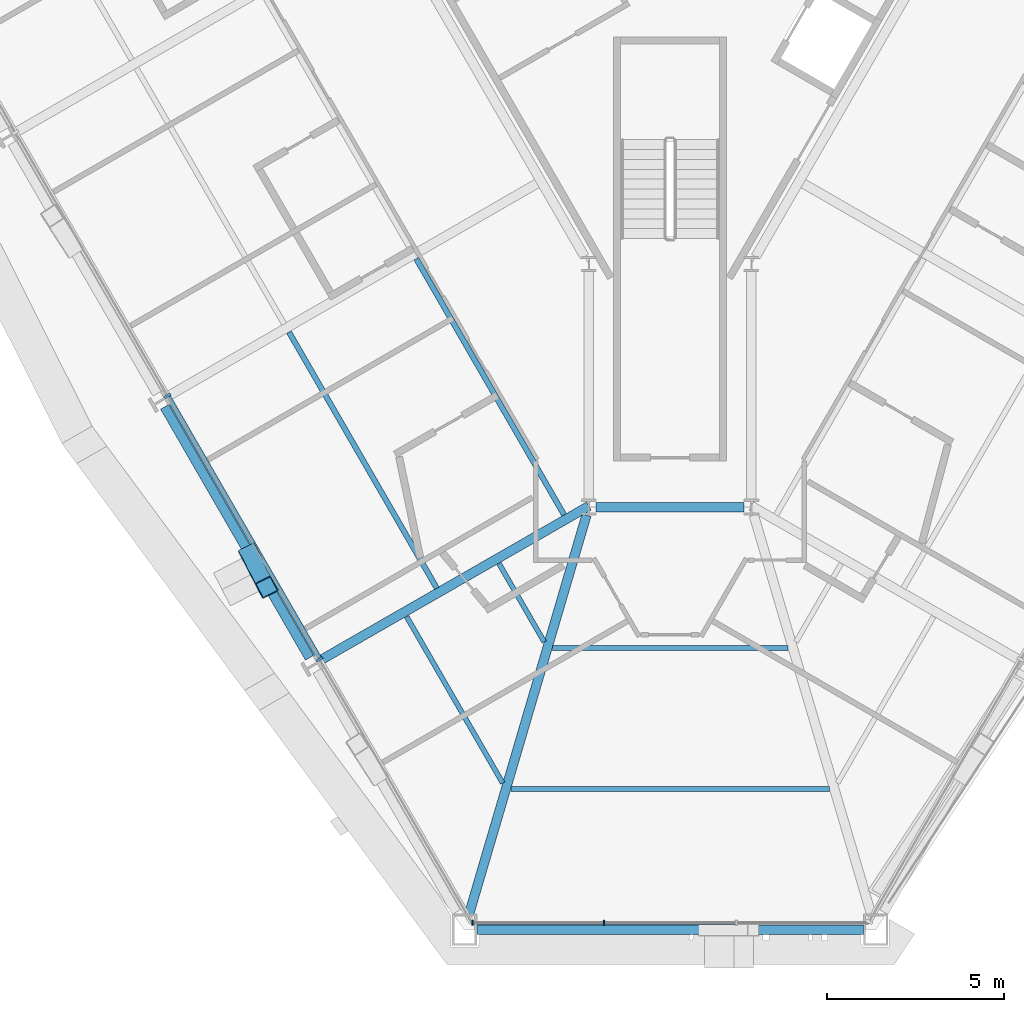
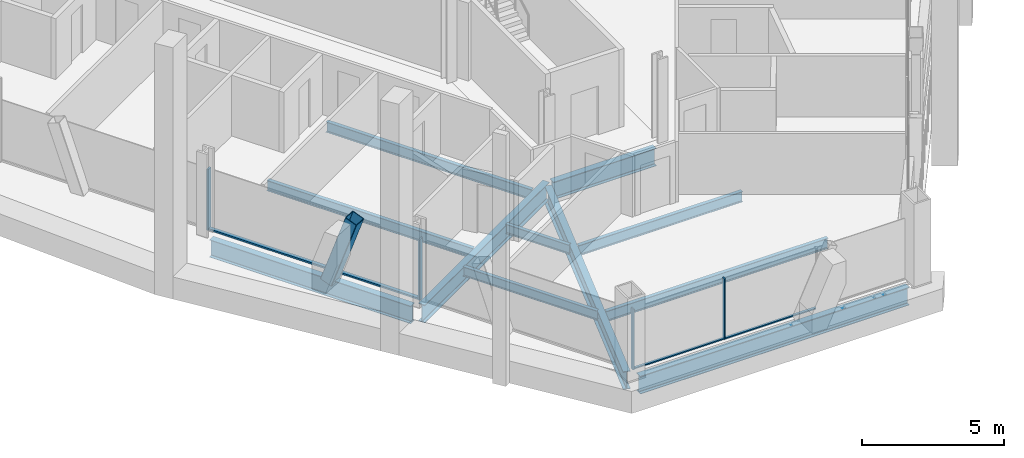
# One storey, part 3 of 19: 11 beams, 8 members, 2 elements without a shape of their own.
"""IFC4 building model written with IfcOpenShell, lengths in metres."""

from ifc_helpers import new_model, si_unit, direction, frame, origin, origin_2d, place, context, subcontext, project, spatial, rectangle, hollow_rectangle, i_section, extrude, material, material_profile, profile_set, type_object, element, aggregate, save


model = new_model("IFC4")

# Units and contexts
model_context = context("Model", 3, precision=1e-05, world=origin(), true_north=direction((0.0, 1.0)))
body_context = subcontext(model_context, "Body", "Model", "MODEL_VIEW")
ifc_project = project(units=[si_unit("LENGTHUNIT", "METRE"), si_unit("AREAUNIT", "SQUARE_METRE"), si_unit("VOLUMEUNIT", "CUBIC_METRE"), si_unit("PLANEANGLEUNIT", "RADIAN"), si_unit("MASSUNIT", "GRAM", prefix="KILO")], contexts=[model_context])

# Site, building, storey
site_placement = place(None, origin())
site = spatial("IfcSite", under=ifc_project, at=site_placement, CompositionType="ELEMENT")
building_placement = place(site_placement, origin())
building = spatial("IfcBuilding", under=site, at=building_placement, Name="Verrane Prism Tower", CompositionType="ELEMENT")
storey_placement = place(building_placement, frame((0.0, 0.0, 76.39990234375)))
storey = spatial("IfcBuildingStorey", under=building, at=storey_placement, Name="L17", CompositionType="ELEMENT", Elevation=76.39990234375)

# Beams
ifc_material_1 = material(Name="Steel A992", Category="steel")
ifc_material_profile_1 = material_profile(ifc_material_1, i_section(OverallWidth=0.2666015625, OverallDepth=0.76708984375, WebThickness=0.014892578125, FlangeThickness=0.023681640625, FilletRadius=0.0166015625, at=origin_2d()), Name="W30x124")
ifc_profile_set_1 = profile_set([ifc_material_profile_1], Name="Steel A992")
beam_type_1 = type_object("IfcBeamType", Name="Chamfer spandrel beam W30x124", PredefinedType="SPANDREL", material=ifc_profile_set_1)
beam_1_placement = place(storey_placement, frame((-5.469970703125, -33.260009765625, -0.54345703125), z_axis=(1.0, 0.0, 0.0), x_axis=(0.0, 1.0, 0.0)))
element("IfcBeam", 1, at=beam_1_placement, inside=storey, type_object=beam_type_1, Name="Chamfer spandrel beam L17", PredefinedType="SPANDREL", context=body_context, shape_type="SweptSolid", body=[
    extrude(i_section(OverallWidth=0.2666015625, OverallDepth=0.76708984375, WebThickness=0.014892578125, FlangeThickness=0.023681640625, FilletRadius=0.0166015625, at=origin_2d()), origin(), (0.0, 0.0, 1.0), 10.93994140625),
])
ifc_material_2 = material(Name="Steel A992", Category="steel")
ifc_material_profile_2 = material_profile(ifc_material_2, i_section(OverallWidth=0.2666015625, OverallDepth=0.7568359375, WebThickness=0.013916015625, FlangeThickness=0.019287109375, FilletRadius=0.0166015625, at=origin_2d()), Name="W30x108")
ifc_profile_set_2 = profile_set([ifc_material_profile_2], Name="Steel A992")
beam_type_2 = type_object("IfcBeamType", Name="Core ring girder W30x108", PredefinedType="BEAM", material=ifc_profile_set_2)
beam_2_placement = place(storey_placement, frame((-2.09033203125, -21.300048828125, -0.62841796875), z_axis=(1.0, 0.0, 0.0), x_axis=(0.0, 1.0, 0.0)))
element("IfcBeam", 2, at=beam_2_placement, inside=storey, type_object=beam_type_2, Name="Core ring girder L17", PredefinedType="BEAM", context=body_context, shape_type="SweptSolid", body=[
    extrude(i_section(OverallWidth=0.2666015625, OverallDepth=0.7568359375, WebThickness=0.013916015625, FlangeThickness=0.019287109375, FilletRadius=0.0166015625, at=origin_2d()), origin(), (0.0, 0.0, 1.0), 4.1806640625),
])
ifc_material_3 = material(Name="Steel A992", Category="steel")
ifc_material_profile_3 = material_profile(ifc_material_3, i_section(OverallWidth=0.2666015625, OverallDepth=0.76708984375, WebThickness=0.014892578125, FlangeThickness=0.023681640625, FilletRadius=0.0166015625, at=origin_2d()), Name="W30x124")
ifc_profile_set_3 = profile_set([ifc_material_profile_3], Name="Steel A992")
beam_type_3 = type_object("IfcBeamType", Name="Corner girder W30x124", PredefinedType="BEAM", material=ifc_profile_set_3)
beam_3_placement = place(storey_placement, frame((-5.6875, -32.809814453125, -0.603515625), z_axis=(0.282337147907, 0.959315242718, 0.0), x_axis=(-0.959315242718, 0.282337147907, 0.0)))
element("IfcBeam", 3, at=beam_3_placement, inside=storey, type_object=beam_type_3, Name="Corner girder L17", PredefinedType="BEAM", context=body_context, shape_type="SweptSolid", body=[
    extrude(i_section(OverallWidth=0.2666015625, OverallDepth=0.76708984375, WebThickness=0.014892578125, FlangeThickness=0.023681640625, FilletRadius=0.0166015625, at=origin_2d()), origin(), (0.0, 0.0, 1.0), 11.760986328125),
])

# Member
ifc_material_4 = material(Name="Steel A1085 Grade A", Category="steel")
ifc_material_profile_4 = material_profile(ifc_material_4, hollow_rectangle(XDim=0.508056640625, YDim=0.508056640625, WallThickness=0.025390625, InnerFilletRadius=0.0126953125, OuterFilletRadius=0.0380859375, at=origin_2d()), Name="HSS20x20x1")
ifc_profile_set_4 = profile_set([ifc_material_profile_4], Name="Steel A1085 Grade A")
member_type_1 = type_object("IfcMemberType", Name="Facade brace HSS20x20x1", PredefinedType="BRACE", material=ifc_profile_set_4)
member_1_placement = place(storey_placement, frame((-11.89404296875, -22.634521484375, -0.242431640625), z_axis=(0.15026244284, -0.291861795864, 0.94458344808), x_axis=(0.889086893267, 0.457738458315, 0.0)))
element("IfcMember", 4, at=member_1_placement, inside=storey, type_object=member_type_1, Name="Facade brace SW4 L17", PredefinedType="BRACE", context=body_context, shape_type="SweptSolid", body=[
    extrude(hollow_rectangle(XDim=0.508056640625, YDim=0.508056640625, WallThickness=0.025390625, InnerFilletRadius=0.0126953125, OuterFilletRadius=0.0380859375, at=origin_2d()), origin(), (0.0, 0.0, 1.0), 3.1845703125),
])

# Beams
ifc_material_5 = material(Name="Steel A992", Category="steel")
ifc_material_profile_5 = material_profile(ifc_material_5, i_section(OverallWidth=0.140380859375, OverallDepth=0.40380859375, WebThickness=0.007080078125, FlangeThickness=0.01123046875, FilletRadius=0.01025390625, at=origin_2d()), Name="W16x31")
ifc_profile_set_5 = profile_set([ifc_material_profile_5], Name="Steel A992")
beam_type_4 = type_object("IfcBeamType", Name="Floor beam W16x31", PredefinedType="BEAM", material=ifc_profile_set_5)
beam_4_placement = place(storey_placement, frame((-3.5615234375, -25.11376953125, -0.36181640625), z_axis=(-0.500019079056, 0.866014388206, 0.0), x_axis=(-0.866014388206, -0.500019079056, 0.0)))
element("IfcBeam", 5, at=beam_4_placement, inside=storey, type_object=beam_type_4, Name="Floor beam L17", PredefinedType="BEAM", context=body_context, shape_type="SweptSolid", body=[
    extrude(i_section(OverallWidth=0.140380859375, OverallDepth=0.40380859375, WebThickness=0.007080078125, FlangeThickness=0.01123046875, FilletRadius=0.01025390625, at=origin_2d()), origin(), (0.0, 0.0, 1.0), 2.56494140625),
])
beam_5_placement = place(storey_placement, frame((-4.73681640625, -29.107177734375, -0.36181640625), z_axis=(-0.500003687357, 0.866023274877, 0.0), x_axis=(-0.866023274877, -0.500003687357, 0.0)))
element("IfcBeam", 6, at=beam_5_placement, inside=storey, type_object=beam_type_4, Name="Floor beam L17", PredefinedType="BEAM", context=body_context, shape_type="SweptSolid", body=[
    extrude(i_section(OverallWidth=0.140380859375, OverallDepth=0.40380859375, WebThickness=0.007080078125, FlangeThickness=0.01123046875, FilletRadius=0.01025390625, at=origin_2d()), origin(), (0.0, 0.0, 1.0), 5.435546875),
])
ifc_material_6 = material(Name="Steel A992", Category="steel")
ifc_material_profile_6 = material_profile(ifc_material_6, i_section(OverallWidth=0.15234375, OverallDepth=0.449462890625, WebThickness=0.007568359375, FlangeThickness=0.0107421875, FilletRadius=0.01025390625, at=origin_2d()), Name="W18x35")
ifc_profile_set_6 = profile_set([ifc_material_profile_6], Name="Steel A992")
beam_type_5 = type_object("IfcBeamType", Name="Floor beam W18x35", PredefinedType="BEAM", material=ifc_profile_set_6)
beam_6_placement = place(storey_placement, frame((-2.9990234375, -21.519287109375, -0.384765625), z_axis=(-0.499998569178, 0.866026229868, 0.0), x_axis=(-0.866026229868, -0.499998569178, 0.0)))
element("IfcBeam", 7, at=beam_6_placement, inside=storey, type_object=beam_type_5, Name="Floor beam L17", PredefinedType="BEAM", context=body_context, shape_type="SweptSolid", body=[
    extrude(i_section(OverallWidth=0.15234375, OverallDepth=0.449462890625, WebThickness=0.007568359375, FlangeThickness=0.0107421875, FilletRadius=0.01025390625, at=origin_2d()), origin(), (0.0, 0.0, 1.0), 8.3681640625),
])
beam_7_placement = place(storey_placement, frame((-6.598388671875, -23.59716796875, -0.384765625), z_axis=(-0.50000104701, 0.866024799292, 0.0), x_axis=(-0.866024799292, -0.50000104701, 0.0)))
element("IfcBeam", 8, at=beam_7_placement, inside=storey, type_object=beam_type_5, Name="Floor beam L17", PredefinedType="BEAM", context=body_context, shape_type="SweptSolid", body=[
    extrude(i_section(OverallWidth=0.15234375, OverallDepth=0.449462890625, WebThickness=0.007568359375, FlangeThickness=0.0107421875, FilletRadius=0.01025390625, at=origin_2d()), origin(), (0.0, 0.0, 1.0), 8.36962890625),
])
beam_8_placement = place(storey_placement, frame((-4.507568359375, -29.273193359375, -0.384765625), z_axis=(1.0, 0.0, 0.0), x_axis=(0.0, 1.0, 0.0)))
element("IfcBeam", 9, at=beam_8_placement, inside=storey, type_object=beam_type_5, Name="Floor beam L17", PredefinedType="BEAM", context=body_context, shape_type="SweptSolid", body=[
    extrude(i_section(OverallWidth=0.15234375, OverallDepth=0.449462890625, WebThickness=0.007568359375, FlangeThickness=0.0107421875, FilletRadius=0.01025390625, at=origin_2d()), origin(), (0.0, 0.0, 1.0), 9.01513671875),
])
beam_9_placement = place(storey_placement, frame((-3.334228515625, -25.28662109375, -0.384765625), z_axis=(1.0, 0.0, 0.0), x_axis=(0.0, 1.0, 0.0)))
element("IfcBeam", 10, at=beam_9_placement, inside=storey, type_object=beam_type_5, Name="Floor beam L17", PredefinedType="BEAM", context=body_context, shape_type="SweptSolid", body=[
    extrude(i_section(OverallWidth=0.15234375, OverallDepth=0.449462890625, WebThickness=0.007568359375, FlangeThickness=0.0107421875, FilletRadius=0.01025390625, at=origin_2d()), origin(), (0.0, 0.0, 1.0), 6.66845703125),
])

# Curtain wall, members
ifc_material_7 = material(Name="Aluminium framed insulated glazing", Category="aluminium")
curtain_wall_type_1 = type_object("IfcCurtainWallType", Name="Curtain wall CW-C 4200 module", PredefinedType="NOTDEFINED", material=ifc_material_7)
curtain_wall_1_placement = place(storey_placement, origin())
curtain_wall_1 = element("IfcCurtainWall", 11, at=curtain_wall_1_placement, inside=storey, type_object=curtain_wall_type_1, Name="Glazed curtain wall south corner L17", PredefinedType="NOTDEFINED")
ifc_material_8 = material(Name="Aluminium alloy 6063-T6", Category="aluminium")
ifc_material_profile_7 = material_profile(ifc_material_8, rectangle(XDim=0.139892578125, YDim=0.050048828125, at=origin_2d()), Name="Mullion 50x140 aluminium")
ifc_profile_set_7 = profile_set([ifc_material_profile_7], Name="Aluminium alloy 6063-T6")
member_type_2 = type_object("IfcMemberType", Name="Mullion 50x140 aluminium", PredefinedType="MULLION", material=ifc_profile_set_7)
member_2_placement = place(storey_placement, frame((-5.5888671875, -33.058349609375, 0.0), z_axis=(0.0, 0.0, 1.0), x_axis=(0.0, 1.0, 0.0)))
member_2 = element("IfcMember", 12, at=member_2_placement, type_object=member_type_2, Name="CW17.5 mullion 1", PredefinedType="MULLION", context=body_context, shape_type="SweptSolid", body=[
    extrude(rectangle(XDim=0.139892578125, YDim=0.050048828125, at=origin_2d()), origin(), (0.0, 0.0, 1.0), 2.613037109375),
])
member_3_placement = place(storey_placement, frame((-1.871337890625, -33.058349609375, 0.0), z_axis=(0.0, 0.0, 1.0), x_axis=(0.0, 1.0, 0.0)))
member_3 = element("IfcMember", 13, at=member_3_placement, type_object=member_type_2, Name="CW17.5 mullion 2", PredefinedType="MULLION", context=body_context, shape_type="SweptSolid", body=[
    extrude(rectangle(XDim=0.139892578125, YDim=0.050048828125, at=origin_2d()), origin(), (0.0, 0.0, 1.0), 2.613037109375),
])

ifc_material_9 = material(Name="Aluminium framed insulated glazing", Category="aluminium")
curtain_wall_type_2 = type_object("IfcCurtainWallType", Name="Curtain wall CW-A 8400 module", PredefinedType="NOTDEFINED", material=ifc_material_9)
curtain_wall_2_placement = place(storey_placement, origin())
curtain_wall_2 = element("IfcCurtainWall", 14, at=curtain_wall_2_placement, inside=storey, type_object=curtain_wall_type_2, Name="Glazed curtain wall south-west face L17", PredefinedType="NOTDEFINED")
ifc_material_10 = material(Name="Aluminium alloy 6063-T6", Category="aluminium")
ifc_material_profile_8 = material_profile(ifc_material_10, rectangle(XDim=0.199951171875, YDim=0.070068359375, at=origin_2d()), Name="Mullion 70x200 aluminium")
ifc_profile_set_8 = profile_set([ifc_material_profile_8], Name="Aluminium alloy 6063-T6")
member_type_3 = type_object("IfcMemberType", Name="Mullion 70x200 aluminium", PredefinedType="MULLION", material=ifc_profile_set_8)
member_4_placement = place(storey_placement, frame((-14.221435546875, -18.14990234375, 0.0), z_axis=(0.0, 0.0, 1.0), x_axis=(0.866025845387, 0.499999235121, 0.0)))
member_4 = element("IfcMember", 15, at=member_4_placement, type_object=member_type_3, Name="CW17.4 mullion 5", PredefinedType="MULLION", context=body_context, shape_type="SweptSolid", body=[
    extrude(rectangle(XDim=0.199951171875, YDim=0.070068359375, at=origin_2d()), origin(), (0.0, 0.0, 1.0), 2.613037109375),
])
member_5_placement = place(storey_placement, frame((-9.917724609375, -25.60400390625, 0.0), z_axis=(0.0, 0.0, 1.0), x_axis=(0.866025845387, 0.499999235121, 0.0)))
member_5 = element("IfcMember", 16, at=member_5_placement, type_object=member_type_3, Name="CW17.4 mullion 6", PredefinedType="MULLION", context=body_context, shape_type="SweptSolid", body=[
    extrude(rectangle(XDim=0.199951171875, YDim=0.070068359375, at=origin_2d()), origin(), (0.0, 0.0, 1.0), 2.613037109375),
])

# Beams
ifc_material_11 = material(Name="Steel A992", Category="steel")
ifc_material_profile_9 = material_profile(ifc_material_11, i_section(OverallWidth=0.2666015625, OverallDepth=0.76708984375, WebThickness=0.014892578125, FlangeThickness=0.023681640625, FilletRadius=0.0166015625, at=origin_2d()), Name="W30x124")
ifc_profile_set_9 = profile_set([ifc_material_profile_9], Name="Steel A992")
beam_type_6 = type_object("IfcBeamType", Name="Radial girder W30x124", PredefinedType="BEAM", material=ifc_profile_set_9)
beam_10_placement = place(storey_placement, frame((-9.88037109375, -25.623779296875, -0.603515625), z_axis=(0.867113498492, 0.498110610941, 0.0), x_axis=(-0.498110610941, 0.867113498492, 0.0)))
element("IfcBeam", 17, at=beam_10_placement, inside=storey, type_object=beam_type_6, Name="Radial girder L17", PredefinedType="BEAM", context=body_context, shape_type="SweptSolid", body=[
    extrude(i_section(OverallWidth=0.2666015625, OverallDepth=0.76708984375, WebThickness=0.014892578125, FlangeThickness=0.023681640625, FilletRadius=0.0166015625, at=origin_2d()), origin(), (0.0, 0.0, 1.0), 8.741943359375),
])
ifc_material_12 = material(Name="Steel A992", Category="steel")
ifc_material_profile_10 = material_profile(ifc_material_12, i_section(OverallWidth=0.2666015625, OverallDepth=0.7568359375, WebThickness=0.013916015625, FlangeThickness=0.019287109375, FilletRadius=0.0166015625, at=origin_2d()), Name="W30x108")
ifc_profile_set_10 = profile_set([ifc_material_profile_10], Name="Steel A992")
beam_type_7 = type_object("IfcBeamType", Name="Spandrel beam W30x108", PredefinedType="SPANDREL", material=ifc_profile_set_10)
beam_11_placement = place(storey_placement, frame((-14.302978515625, -18.463134765625, -0.538330078125), z_axis=(0.500095456561, -0.865970284898, 0.0), x_axis=(0.865970284898, 0.500095456561, 0.0)))
element("IfcBeam", 18, at=beam_11_placement, inside=storey, type_object=beam_type_7, Name="Spandrel beam L17", PredefinedType="SPANDREL", context=body_context, shape_type="SweptSolid", body=[
    extrude(i_section(OverallWidth=0.2666015625, OverallDepth=0.7568359375, WebThickness=0.013916015625, FlangeThickness=0.019287109375, FilletRadius=0.0166015625, at=origin_2d()), origin(), (0.0, 0.0, 1.0), 8.1962890625),
])

# Member
ifc_material_13 = material(Name="Aluminium alloy 6063-T6", Category="aluminium")
ifc_material_profile_11 = material_profile(ifc_material_13, rectangle(XDim=0.10009765625, YDim=0.050048828125, at=origin_2d()), Name="Transom 50x100 aluminium")
ifc_profile_set_11 = profile_set([ifc_material_profile_11], Name="Aluminium alloy 6063-T6")
member_type_4 = type_object("IfcMemberType", Name="Transom 50x100 aluminium", PredefinedType="USERDEFINED", material=ifc_profile_set_11)
member_6_placement = place(storey_placement, frame((-5.56396484375, -33.058349609375, 0.025146484375), z_axis=(1.0, 0.0, 0.0), x_axis=(0.0, 1.0, 0.0)))
member_6 = element("IfcMember", 19, at=member_6_placement, type_object=member_type_4, Name="CW17.5 transom 1", ObjectType="TRANSOM", PredefinedType="USERDEFINED", context=body_context, shape_type="SweptSolid", body=[
    extrude(rectangle(XDim=0.10009765625, YDim=0.050048828125, at=origin_2d()), origin(), (0.0, 0.0, 1.0), 3.667724609375),
])

member_7_placement = place(storey_placement, frame((-1.84619140625, -33.058349609375, 0.025146484375), z_axis=(1.0, 0.0, 0.0), x_axis=(0.0, 1.0, 0.0)))
member_7 = element("IfcMember", 20, at=member_7_placement, type_object=member_type_4, Name="CW17.5 transom 2", ObjectType="TRANSOM", PredefinedType="USERDEFINED", context=body_context, shape_type="SweptSolid", body=[
    extrude(rectangle(XDim=0.10009765625, YDim=0.050048828125, at=origin_2d()), origin(), (0.0, 0.0, 1.0), 3.6923828125),
])

aggregate(curtain_wall_1, [member_2, member_3, member_6, member_7])

ifc_material_14 = material(Name="Aluminium alloy 6063-T6", Category="aluminium")
ifc_material_profile_12 = material_profile(ifc_material_14, rectangle(XDim=0.14990234375, YDim=0.070068359375, at=origin_2d()), Name="Transom 70x150 aluminium")
ifc_profile_set_12 = profile_set([ifc_material_profile_12], Name="Aluminium alloy 6063-T6")
member_type_5 = type_object("IfcMemberType", Name="Transom 70x150 aluminium", PredefinedType="USERDEFINED", material=ifc_profile_set_12)
member_8_placement = place(storey_placement, frame((-14.203857421875, -18.18017578125, 0.03515625), z_axis=(0.50001124802, -0.866018909639, 0.0), x_axis=(0.866018909639, 0.50001124802, 0.0)))
member_8 = element("IfcMember", 21, at=member_8_placement, type_object=member_type_5, Name="CW17.4 transom 5", ObjectType="TRANSOM", PredefinedType="USERDEFINED", context=body_context, shape_type="SweptSolid", body=[
    extrude(rectangle(XDim=0.14990234375, YDim=0.070068359375, at=origin_2d()), origin(), (0.0, 0.0, 1.0), 8.537353515625),
])

aggregate(curtain_wall_2, [member_4, member_5, member_8])

save(model, "model.ifc")
